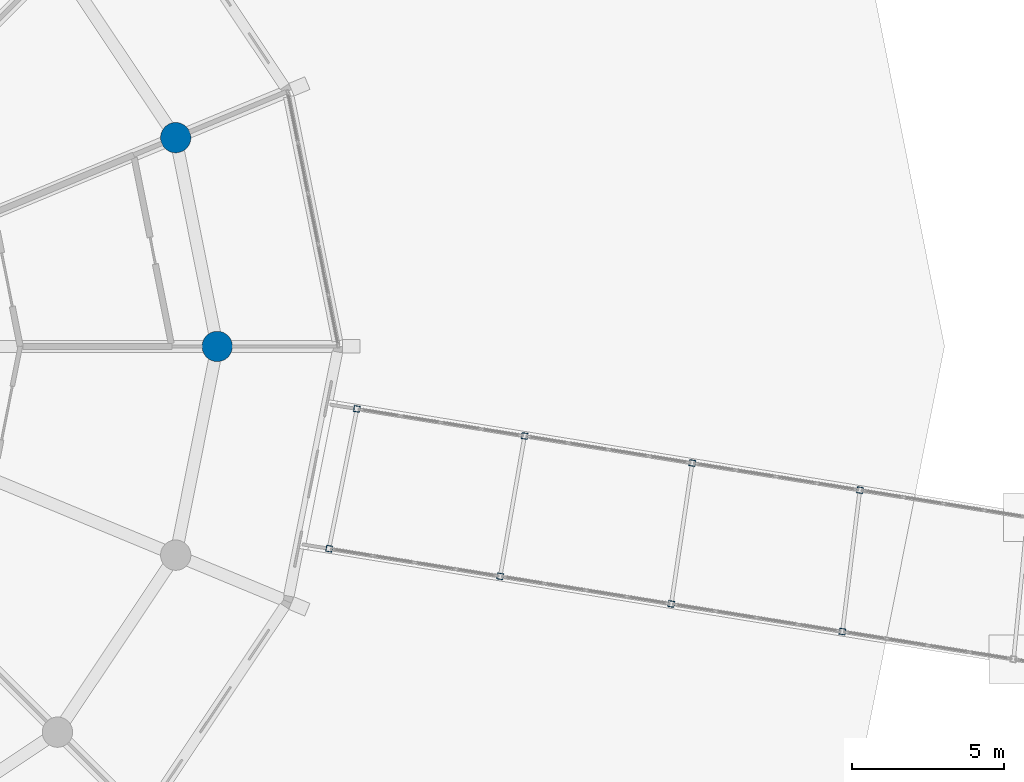
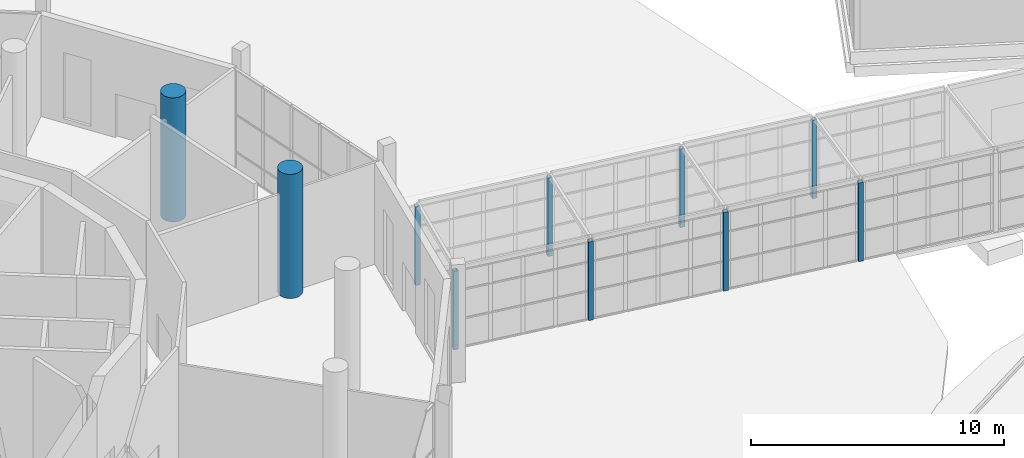
# One storey, part 22 of 226: 10 columns.
"""IFC4 building model written with IfcOpenShell, lengths in metres."""

from ifc_helpers import new_model, si_unit, direction, frame, origin, origin_2d, place, context, subcontext, project, spatial, hollow_rectangle, circle, extrude, material, material_profile, profile_set, type_object, element, save


model = new_model("IFC4")

# Units and contexts
model_context = context("Model", 3, precision=1e-05, world=origin(), true_north=direction((0.0, 1.0)))
body_context = subcontext(model_context, "Body", "Model", "MODEL_VIEW")
ifc_project = project(units=[si_unit("LENGTHUNIT", "METRE"), si_unit("AREAUNIT", "SQUARE_METRE"), si_unit("VOLUMEUNIT", "CUBIC_METRE"), si_unit("PLANEANGLEUNIT", "RADIAN"), si_unit("MASSUNIT", "GRAM", prefix="KILO")], contexts=[model_context])

# Site, building, storey
site_placement = place(None, origin())
site = spatial("IfcSite", under=ifc_project, at=site_placement, CompositionType="ELEMENT")
building_placement = place(site_placement, origin())
building = spatial("IfcBuilding", under=site, at=building_placement, Name="Ceibo Conservatory and Research Tower", CompositionType="ELEMENT")
storey_placement = place(building_placement, origin())
storey = spatial("IfcBuildingStorey", under=building, at=storey_placement, Name="L00", CompositionType="ELEMENT", Elevation=0.0)

# Columns
ifc_material_1 = material(Name="Concrete C40/50", Category="concrete")
ifc_material_profile_1 = material_profile(ifc_material_1, circle(Radius=0.5, at=origin_2d()), Name="RC D1000")
ifc_profile_set_1 = profile_set([ifc_material_profile_1], Name="Concrete C40/50")
column_type_1 = type_object("IfcColumnType", Name="RC column D1000 C40", PredefinedType="COLUMN", material=ifc_profile_set_1)
for number, where, z_axis, x_axis, name in (
    (1, (66.0, 120.0, 0.0), (0.0, 0.0, 1.0), (1.0, 0.0, 0.0), "Column R1 L00"),
    (2, (64.6298828125, 126.88818359375, 0.0), (0.0, 0.0, 1.0), (1.0, 0.0, 0.0), "Column R2 L00"),
):
    element("IfcColumn", number, at=place(storey_placement, frame(where, z_axis=z_axis, x_axis=x_axis)), inside=storey, type_object=column_type_1, Name=name, PredefinedType="COLUMN", context=body_context, shape_type="SweptSolid", body=[
        extrude(circle(Radius=0.5, at=origin_2d()), origin(), (0.0, 0.0, 1.0), 6.0),
    ])
ifc_material_2 = material(Name="Steel S355J2H", Category="steel")
ifc_material_profile_2 = material_profile(ifc_material_2, hollow_rectangle(XDim=0.199951171875, YDim=0.199951171875, WallThickness=0.010009765625, at=origin_2d()), Name="RHS column 200x200x10")
ifc_profile_set_2 = profile_set([ifc_material_profile_2], Name="Steel S355J2H")
column_type_2 = type_object("IfcColumnType", Name="RHS column 200x200x10", PredefinedType="COLUMN", material=ifc_profile_set_2)
for number, where, z_axis, x_axis, name in (
    (3, (86.626220703125, 110.590576171875, 0.0), (0.0, 0.0, 1.0), (-0.987215515464, 0.159391110254, 0.0), "Gallery column A-RT-CN06"),
    (4, (87.20751953125, 115.257568359375, 0.0), (0.0, 0.0, 1.0), (-0.987215515464, 0.159391110254, 0.0), "Gallery column A-RT-CS06"),
    (5, (80.981201171875, 111.501953125, 0.0), (0.0, 0.0, 1.0), (-0.987215515464, 0.159391110254, 0.0), "Gallery column A-RT-CN07"),
    (6, (81.674560546875, 116.15087890625, 0.0), (0.0, 0.0, 1.0), (-0.987215515464, 0.159391110254, 0.0), "Gallery column A-RT-CS07"),
    (7, (75.336181640625, 112.413330078125, 0.0), (0.0, 0.0, 1.0), (-0.987215515464, 0.159391110254, 0.0), "Gallery column A-RT-CN08"),
    (8, (76.1416015625, 117.044189453125, 0.0), (0.0, 0.0, 1.0), (-0.987215515464, 0.159391110254, 0.0), "Gallery column A-RT-CS08"),
    (9, (69.691162109375, 113.32470703125, 0.0), (0.0, 0.0, 1.0), (-0.987215515464, 0.159391110254, 0.0), "Gallery column A-RT-CN09"),
    (10, (70.608642578125, 117.9375, 0.0), (0.0, 0.0, 1.0), (-0.987215515464, 0.159391110254, 0.0), "Gallery column A-RT-CS09"),
):
    element("IfcColumn", number, at=place(storey_placement, frame(where, z_axis=z_axis, x_axis=x_axis)), inside=storey, type_object=column_type_2, Name=name, PredefinedType="COLUMN", context=body_context, shape_type="SweptSolid", body=[
        extrude(hollow_rectangle(XDim=0.199951171875, YDim=0.199951171875, WallThickness=0.010009765625, at=origin_2d()), origin(), (0.0, 0.0, 1.0), 3.800048828125),
    ])

save(model, "model.ifc")
